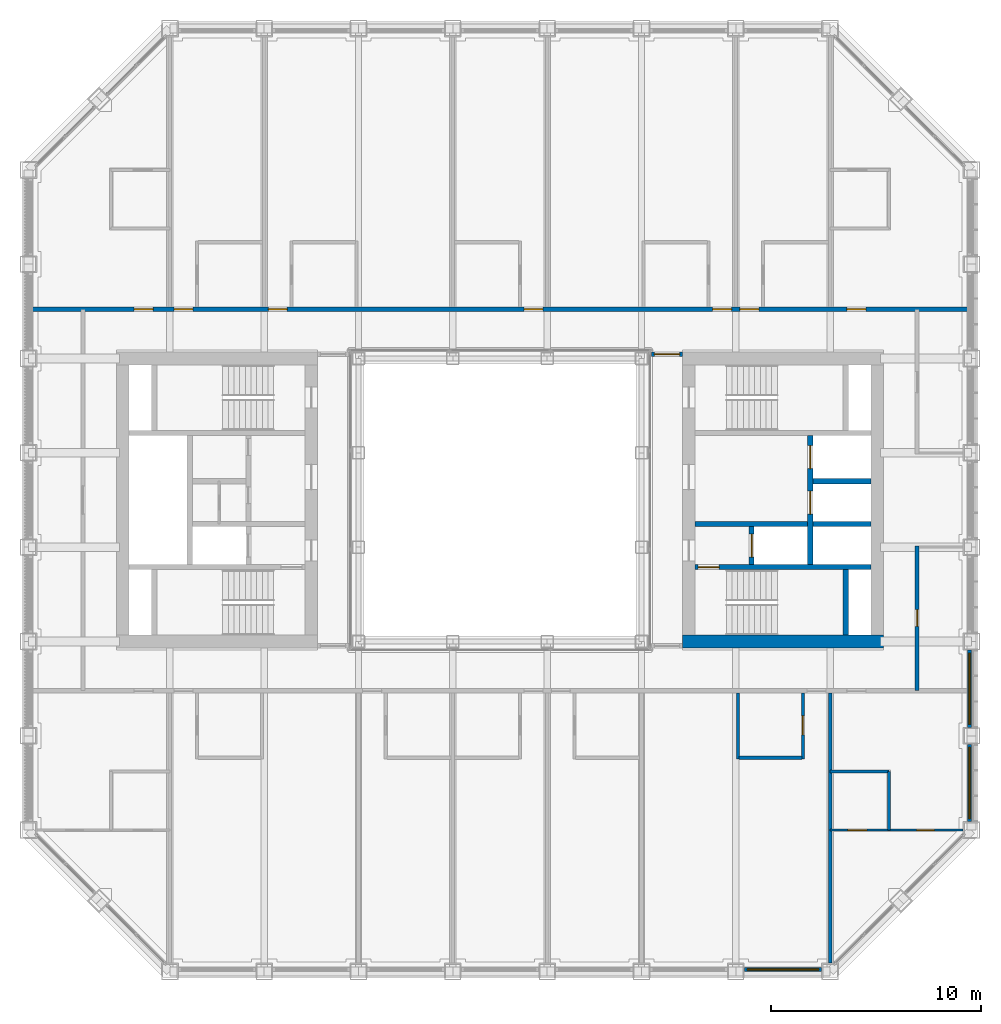
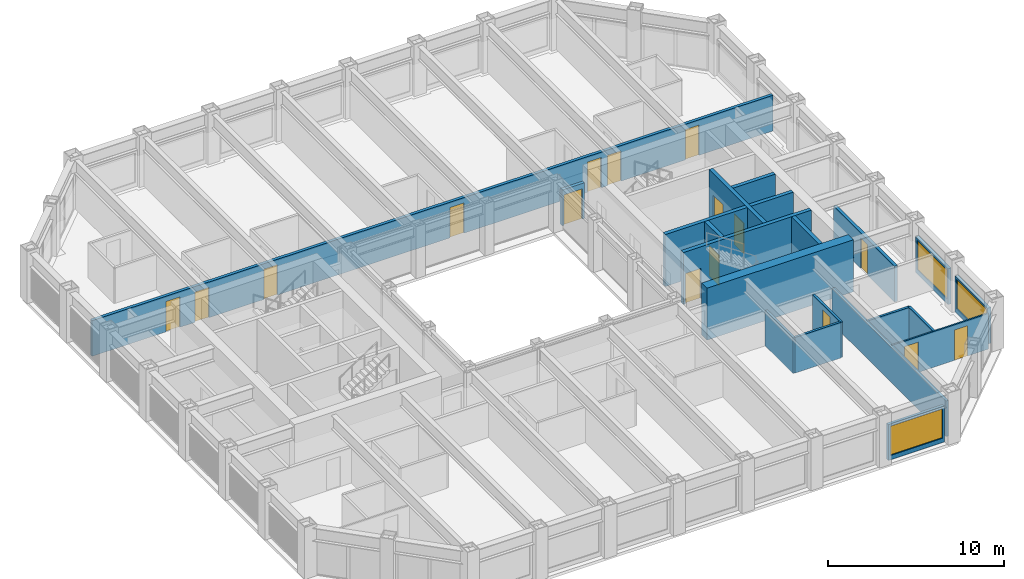
# One storey, part 12 of 17: 21 walls, 16 doors, 3 windows, 19 openings.
"""IFC4 building model written with IfcOpenShell, lengths in metres."""

from ifc_helpers import new_model, si_unit, direction, frame, frame_2d, origin, place, context, subcontext, project, spatial, rectangle, extrude, material, layer, layer_set, type_object, element, fill, save


model = new_model("IFC4")

# Units and contexts
model_context = context("Model", 3, precision=1e-05, world=origin(), true_north=direction((0.0, 1.0)))
body_context = subcontext(model_context, "Body", "Model", "MODEL_VIEW")
ifc_project = project(units=[si_unit("LENGTHUNIT", "METRE"), si_unit("AREAUNIT", "SQUARE_METRE"), si_unit("VOLUMEUNIT", "CUBIC_METRE"), si_unit("PLANEANGLEUNIT", "RADIAN"), si_unit("MASSUNIT", "GRAM", prefix="KILO")], contexts=[model_context])

# Site, building, storey
site_placement = place(None, origin())
site = spatial("IfcSite", under=ifc_project, at=site_placement, CompositionType="ELEMENT")
building_placement = place(site_placement, origin())
building = spatial("IfcBuilding", under=site, at=building_placement, Name="Msasa Ring Tower", CompositionType="ELEMENT")
storey_placement = place(building_placement, frame((0.0, 0.0, 154.39990234375)))
storey = spatial("IfcBuildingStorey", under=building, at=storey_placement, Name="L40", CompositionType="ELEMENT", Elevation=154.39990234375)

# Wall
ifc_material_1 = material(Name="Concrete C60/75", Category="concrete")
ifc_layer_1 = layer(ifc_material_1, 0.60009765625)
ifc_layer_set_1 = layer_set([ifc_layer_1], Name="CW2 CORE WALL 600")
wall_type_1 = type_object("IfcWallType", Name="CW2 CORE WALL 600", PredefinedType="SHEAR", material=ifc_layer_set_1)
wall_1_placement = place(storey_placement, frame((8.699951171875, -6.75, 0.0), z_axis=(0.0, 0.0, 1.0), x_axis=(1.0, 0.0, 0.0)))
element("IfcWall", 1, at=wall_1_placement, inside=storey, type_object=wall_type_1, Name="E core wall S L40", PredefinedType="SHEAR", context=body_context, shape_type="SweptSolid", body=[
    extrude(rectangle(XDim=9.60009765625, YDim=0.60009765625, at=frame_2d((4.800048828125, 0.0))), origin(), (0.0, 0.0, 1.0), 3.60009765625),
])

# Wall, opening, door
ifc_material_2 = material(Name="Concrete C60/75", Category="concrete")
ifc_layer_2 = layer(ifc_material_2, 0.25)
ifc_layer_set_2 = layer_set([ifc_layer_2], Name="CW4 CORE INNER WALL 250")
wall_type_2 = type_object("IfcWallType", Name="CW4 CORE INNER WALL 250", PredefinedType="SHEAR", material=ifc_layer_set_2)
wall_2_placement = place(storey_placement, frame((9.300048828125, -3.199951171875, 0.0), z_axis=(0.0, 0.0, 1.0), x_axis=(1.0, 0.0, 0.0)))
wall_2 = element("IfcWall", 2, at=wall_2_placement, inside=storey, type_object=wall_type_2, Name="E core wall STAIRA L40", PredefinedType="SHEAR", context=body_context, shape_type="SweptSolid", body=[
    extrude(rectangle(XDim=8.39990234375, YDim=0.25, at=frame_2d((4.199951171875, 0.0))), origin(), (0.0, 0.0, 1.0), 3.60009765625),
])
opening_1_placement = place(wall_2_placement, frame((0.14990234375, 0.0, 0.0)))
opening_1 = element("IfcOpeningElement", 3, at=opening_1_placement, cuts=wall_2, Name="Opening HD-029", PredefinedType="OPENING", context=body_context, shape_type="SweptSolid", body=[
    extrude(rectangle(XDim=1.0, YDim=2.10009765625, at=frame_2d((0.5, 1.050048828125))), frame((0.0, 0.135009765625, 0.0), z_axis=(0.0, -1.0, 0.0), x_axis=(1.0, 0.0, 0.0)), (0.0, 0.0, 1.0), 0.27001953125),
])
ifc_material_3 = material(Name="Timber door leaf in a steel frame", Category="steel")
door_type_1 = type_object("IfcDoorType", Name="D6 STAIR DOOR 1000x2100", OperationType="SINGLE_SWING_LEFT", PredefinedType="DOOR", material=ifc_material_3)
door_1_placement = place(opening_1_placement, origin())
door_1 = element("IfcDoor", 4, at=door_1_placement, inside=storey, type_object=door_type_1, Name="Door L40-ESTA", OperationType="SINGLE_SWING_LEFT", OverallHeight=2.10009765625, OverallWidth=1.0, PredefinedType="DOOR", context=body_context, shape_type="SweptSolid", body=[
    extrude(rectangle(XDim=1.0, YDim=2.10009765625, at=frame_2d((0.5, 1.050048828125))), frame((0.0, 0.02490234375, 0.0), z_axis=(0.0, -1.0, 0.0), x_axis=(1.0, 0.0, 0.0)), (0.0, 0.0, 1.0), 0.050048828125),
])
fill(opening_1, door_1)

# Walls
wall_3_placement = place(storey_placement, frame((16.5, -6.449951171875, 0.0), z_axis=(0.0, 0.0, 1.0), x_axis=(0.0, 1.0, 0.0)))
element("IfcWall", 5, at=wall_3_placement, inside=storey, type_object=wall_type_2, Name="E core wall RISERA L40", PredefinedType="SHEAR", context=body_context, shape_type="SweptSolid", body=[
    extrude(rectangle(XDim=3.125, YDim=0.25, at=frame_2d((1.5625, 0.0))), origin(), (0.0, 0.0, 1.0), 3.60009765625),
])
wall_4_placement = place(storey_placement, frame((9.300048828125, -1.14990234375, 0.0), z_axis=(0.0, 0.0, 1.0), x_axis=(1.0, 0.0, 0.0)))
element("IfcWall", 6, at=wall_4_placement, inside=storey, type_object=wall_type_2, Name="E core wall FFL L40", PredefinedType="SHEAR", context=body_context, shape_type="SweptSolid", body=[
    extrude(rectangle(XDim=5.375, YDim=0.25, at=frame_2d((2.6875, 0.0))), origin(), (0.0, 0.0, 1.0), 3.60009765625),
])

# Wall, opening, door
wall_5_placement = place(storey_placement, frame((12.0, -3.074951171875, 0.0), z_axis=(0.0, 0.0, 1.0), x_axis=(0.0, 1.0, 0.0)))
wall_5 = element("IfcWall", 7, at=wall_5_placement, inside=storey, type_object=wall_type_2, Name="E core wall LOBBY L40", PredefinedType="SHEAR", context=body_context, shape_type="SweptSolid", body=[
    extrude(rectangle(XDim=1.800048828125, YDim=0.25, at=frame_2d((0.89990234375, 0.0))), origin(), (0.0, 0.0, 1.0), 3.60009765625),
])
opening_2_placement = place(wall_5_placement, frame((0.35009765625, 0.0, 0.0)))
opening_2 = element("IfcOpeningElement", 8, at=opening_2_placement, cuts=wall_5, Name="Opening LD1", PredefinedType="OPENING", context=body_context, shape_type="SweptSolid", body=[
    extrude(rectangle(XDim=1.10009765625, YDim=2.10009765625, at=frame_2d((0.550048828125, 1.050048828125))), frame((0.0, 0.135009765625, 0.0), z_axis=(0.0, -1.0, 0.0), x_axis=(1.0, 0.0, 0.0)), (0.0, 0.0, 1.0), 0.27001953125),
])
ifc_material_4 = material(Name="Stainless steel lift landing door", Category="steel")
door_type_2 = type_object("IfcDoorType", Name="LD1 LIFT LANDING DOOR 1100x2100", OperationType="DOUBLE_DOOR_SLIDING", PredefinedType="DOOR", material=ifc_material_4)
door_2_placement = place(opening_2_placement, origin())
door_2 = element("IfcDoor", 9, at=door_2_placement, inside=storey, type_object=door_type_2, Name="Lift landing door FL-E L40", OperationType="DOUBLE_DOOR_SLIDING", OverallHeight=2.10009765625, OverallWidth=1.10009765625, PredefinedType="DOOR", context=body_context, shape_type="SweptSolid", body=[
    extrude(rectangle(XDim=1.10009765625, YDim=2.10009765625, at=frame_2d((0.550048828125, 1.050048828125))), frame((0.0, 0.02490234375, 0.0), z_axis=(0.0, -1.0, 0.0), x_axis=(1.0, 0.0, 0.0)), (0.0, 0.0, 1.0), 0.050048828125),
])
fill(opening_2, door_2)

# Wall, openings, doors
wall_6_placement = place(storey_placement, frame((14.800048828125, -3.074951171875, 0.0), z_axis=(0.0, 0.0, 1.0), x_axis=(0.0, 1.0, 0.0)))
wall_6 = element("IfcWall", 10, at=wall_6_placement, inside=storey, type_object=wall_type_2, Name="E core wall SHAFT L40", PredefinedType="SHEAR", context=body_context, shape_type="SweptSolid", body=[
    extrude(rectangle(XDim=6.14990234375, YDim=0.25, at=frame_2d((3.074951171875, 0.0))), origin(), (0.0, 0.0, 1.0), 3.60009765625),
])
opening_3_placement = place(wall_6_placement, frame((2.39990234375, 0.0, 0.0)))
opening_3 = element("IfcOpeningElement", 11, at=opening_3_placement, cuts=wall_6, Name="Opening LD1", PredefinedType="OPENING", context=body_context, shape_type="SweptSolid", body=[
    extrude(rectangle(XDim=1.10009765625, YDim=2.10009765625, at=frame_2d((0.550048828125, 1.050048828125))), frame((0.0, 0.135009765625, 0.0), z_axis=(0.0, -1.0, 0.0), x_axis=(1.0, 0.0, 0.0)), (0.0, 0.0, 1.0), 0.27001953125),
])
opening_4_placement = place(wall_6_placement, frame((4.574951171875, 0.0, 0.0)))
opening_4 = element("IfcOpeningElement", 12, at=opening_4_placement, cuts=wall_6, Name="Opening LD1", PredefinedType="OPENING", context=body_context, shape_type="SweptSolid", body=[
    extrude(rectangle(XDim=1.10009765625, YDim=2.10009765625, at=frame_2d((0.550048828125, 1.050048828125))), frame((0.0, 0.135009765625, 0.0), z_axis=(0.0, -1.0, 0.0), x_axis=(1.0, 0.0, 0.0)), (0.0, 0.0, 1.0), 0.27001953125),
])
door_3_placement = place(opening_3_placement, origin())
door_3 = element("IfcDoor", 13, at=door_3_placement, inside=storey, type_object=door_type_2, Name="Lift landing door PL-H1 L40", OperationType="DOUBLE_DOOR_SLIDING", OverallHeight=2.10009765625, OverallWidth=1.10009765625, PredefinedType="DOOR", context=body_context, shape_type="SweptSolid", body=[
    extrude(rectangle(XDim=1.10009765625, YDim=2.10009765625, at=frame_2d((0.550048828125, 1.050048828125))), frame((0.0, 0.02490234375, 0.0), z_axis=(0.0, -1.0, 0.0), x_axis=(1.0, 0.0, 0.0)), (0.0, 0.0, 1.0), 0.050048828125),
])
fill(opening_3, door_3)
door_4_placement = place(opening_4_placement, origin())
door_4 = element("IfcDoor", 14, at=door_4_placement, inside=storey, type_object=door_type_2, Name="Lift landing door PL-H2 L40", OperationType="DOUBLE_DOOR_SLIDING", OverallHeight=2.10009765625, OverallWidth=1.10009765625, PredefinedType="DOOR", context=body_context, shape_type="SweptSolid", body=[
    extrude(rectangle(XDim=1.10009765625, YDim=2.10009765625, at=frame_2d((0.550048828125, 1.050048828125))), frame((0.0, 0.02490234375, 0.0), z_axis=(0.0, -1.0, 0.0), x_axis=(1.0, 0.0, 0.0)), (0.0, 0.0, 1.0), 0.050048828125),
])
fill(opening_4, door_4)

# Walls
for number, where, z_axis, x_axis, name in (
    (15, (14.925048828125, -1.14990234375, 0.0), (0.0, 0.0, 1.0), (1.0, 0.0, 0.0), "E core wall HSEP L40"),
    (16, (14.925048828125, 0.89990234375, 0.0), (0.0, 0.0, 1.0), (1.0, 0.0, 0.0), "E core wall HLIFT L40"),
):
    element("IfcWall", number, at=place(storey_placement, frame(where, z_axis=z_axis, x_axis=x_axis)), inside=storey, type_object=wall_type_2, Name=name, PredefinedType="SHEAR", context=body_context, shape_type="SweptSolid", body=[
        extrude(rectangle(XDim=2.77490234375, YDim=0.25, at=frame_2d((1.387451171875, 0.0))), origin(), (0.0, 0.0, 1.0), 3.60009765625),
    ])

# Wall, opening, window
ifc_material_5 = material(Name="Terracotta rainscreen on blockwork", Category="masonry")
ifc_layer_3 = layer(ifc_material_5, 0.199951171875)
ifc_layer_set_3 = layer_set([ifc_layer_3], Name="FW1 TERRACOTTA-LINED INFILL BAY WALL 200")
wall_type_3 = type_object("IfcWallType", Name="FW1 TERRACOTTA-LINED INFILL BAY WALL 200", PredefinedType="SOLIDWALL", material=ifc_layer_set_3)
wall_7_placement = place(storey_placement, frame((11.655029296875, -22.39990234375, 0.0), z_axis=(0.0, 0.0, 1.0), x_axis=(1.0, 0.0, 0.0)))
wall_7 = element("IfcWall", 17, at=wall_7_placement, inside=storey, type_object=wall_type_3, Name="Infill bay wall S L40 06", PredefinedType="SOLIDWALL", context=body_context, shape_type="SweptSolid", body=[
    extrude(rectangle(XDim=3.68994140625, YDim=0.199951171875, at=frame_2d((1.844970703125, 0.0))), origin(), (0.0, 0.0, 1.0), 2.47900390625),
])
opening_5_placement = place(wall_7_placement, frame((0.14501953125, 0.0, 0.300048828125)))
opening_5 = element("IfcOpeningElement", 18, at=opening_5_placement, cuts=wall_7, Name="Opening WN2", PredefinedType="OPENING", context=body_context, shape_type="SweptSolid", body=[
    extrude(rectangle(XDim=3.39990234375, YDim=2.029052734375, at=frame_2d((1.699951171875, 1.0146484375))), frame((0.0, 0.10986328125, 0.0), z_axis=(0.0, -1.0, 0.0), x_axis=(1.0, 0.0, 0.0)), (0.0, 0.0, 1.0), 0.219970703125),
])
ifc_material_6 = material(Name="Aluminium frame with clear glass", Category="aluminium")
window_type = type_object("IfcWindowType", Name="WN2 GUEST ROOM WINDOW 3400x2029", PartitioningType="SINGLE_PANEL", PredefinedType="WINDOW", material=ifc_material_6)
window_1_placement = place(opening_5_placement, origin())
window_1 = element("IfcWindow", 19, at=window_1_placement, inside=storey, type_object=window_type, Name="Window S L40 06", OverallHeight=2.029052734375, OverallWidth=3.39990234375, PartitioningType="SINGLE_PANEL", PredefinedType="WINDOW", context=body_context, shape_type="SweptSolid", body=[
    extrude(rectangle(XDim=3.39990234375, YDim=2.029052734375, at=frame_2d((1.699951171875, 1.0146484375))), frame((0.0, 0.030029296875, 0.0), z_axis=(0.0, -1.0, 0.0), x_axis=(1.0, 0.0, 0.0)), (0.0, 0.0, 1.0), 0.06005859375),
])
fill(opening_5, window_1)

wall_8_placement = place(storey_placement, frame((22.39990234375, -15.344970703125, 0.0), z_axis=(0.0, 0.0, 1.0), x_axis=(0.0, 1.0, 0.0)))
wall_8 = element("IfcWall", 20, at=wall_8_placement, inside=storey, type_object=wall_type_3, Name="Infill bay wall E L40 09", PredefinedType="SOLIDWALL", context=body_context, shape_type="SweptSolid", body=[
    extrude(rectangle(XDim=3.68994140625, YDim=0.199951171875, at=frame_2d((1.844970703125, 0.0))), origin(), (0.0, 0.0, 1.0), 2.47900390625),
])
opening_6_placement = place(wall_8_placement, frame((0.14501953125, 0.0, 0.300048828125)))
opening_6 = element("IfcOpeningElement", 21, at=opening_6_placement, cuts=wall_8, Name="Opening WN2", PredefinedType="OPENING", context=body_context, shape_type="SweptSolid", body=[
    extrude(rectangle(XDim=3.39990234375, YDim=2.029052734375, at=frame_2d((1.699951171875, 1.0146484375))), frame((0.0, 0.10986328125, 0.0), z_axis=(0.0, -1.0, 0.0), x_axis=(1.0, 0.0, 0.0)), (0.0, 0.0, 1.0), 0.219970703125),
])
window_2_placement = place(opening_6_placement, origin())
window_2 = element("IfcWindow", 22, at=window_2_placement, inside=storey, type_object=window_type, Name="Window E L40 09", OverallHeight=2.029052734375, OverallWidth=3.39990234375, PartitioningType="SINGLE_PANEL", PredefinedType="WINDOW", context=body_context, shape_type="SweptSolid", body=[
    extrude(rectangle(XDim=3.39990234375, YDim=2.029052734375, at=frame_2d((1.699951171875, 1.0146484375))), frame((0.0, 0.030029296875, 0.0), z_axis=(0.0, -1.0, 0.0), x_axis=(1.0, 0.0, 0.0)), (0.0, 0.0, 1.0), 0.06005859375),
])
fill(opening_6, window_2)

wall_9_placement = place(storey_placement, frame((22.39990234375, -10.844970703125, 0.0), z_axis=(0.0, 0.0, 1.0), x_axis=(0.0, 1.0, 0.0)))
wall_9 = element("IfcWall", 23, at=wall_9_placement, inside=storey, type_object=wall_type_3, Name="Infill bay wall E L40 10", PredefinedType="SOLIDWALL", context=body_context, shape_type="SweptSolid", body=[
    extrude(rectangle(XDim=3.68994140625, YDim=0.199951171875, at=frame_2d((1.844970703125, 0.0))), origin(), (0.0, 0.0, 1.0), 2.47900390625),
])
opening_7_placement = place(wall_9_placement, frame((0.14501953125, 0.0, 0.300048828125)))
opening_7 = element("IfcOpeningElement", 24, at=opening_7_placement, cuts=wall_9, Name="Opening WN2", PredefinedType="OPENING", context=body_context, shape_type="SweptSolid", body=[
    extrude(rectangle(XDim=3.39990234375, YDim=2.029052734375, at=frame_2d((1.699951171875, 1.0146484375))), frame((0.0, 0.10986328125, 0.0), z_axis=(0.0, -1.0, 0.0), x_axis=(1.0, 0.0, 0.0)), (0.0, 0.0, 1.0), 0.219970703125),
])
window_3_placement = place(opening_7_placement, origin())
window_3 = element("IfcWindow", 25, at=window_3_placement, inside=storey, type_object=window_type, Name="Window E L40 10", OverallHeight=2.029052734375, OverallWidth=3.39990234375, PartitioningType="SINGLE_PANEL", PredefinedType="WINDOW", context=body_context, shape_type="SweptSolid", body=[
    extrude(rectangle(XDim=3.39990234375, YDim=2.029052734375, at=frame_2d((1.699951171875, 1.0146484375))), frame((0.0, 0.030029296875, 0.0), z_axis=(0.0, -1.0, 0.0), x_axis=(1.0, 0.0, 0.0)), (0.0, 0.0, 1.0), 0.06005859375),
])
fill(opening_7, window_3)

# Wall, opening, door
ifc_material_7 = material(Name="Concrete blockwork", Category="masonry")
ifc_layer_4 = layer(ifc_material_7, 0.199951171875)
ifc_layer_set_4 = layer_set([ifc_layer_4], Name="PT1 CORRIDOR WALL 200")
wall_type_4 = type_object("IfcWallType", Name="PT1 CORRIDOR WALL 200", PredefinedType="PARTITIONING", material=ifc_layer_set_4)
wall_10_placement = place(storey_placement, frame((7.22998046875, 6.949951171875, 0.0), z_axis=(0.0, 0.0, 1.0), x_axis=(1.0, 0.0, 0.0)))
wall_10 = element("IfcWall", 26, at=wall_10_placement, inside=storey, type_object=wall_type_4, Name="Corridor wall L40-SDEN", PredefinedType="PARTITIONING", context=body_context, shape_type="SweptSolid", body=[
    extrude(rectangle(XDim=1.469970703125, YDim=0.199951171875, at=frame_2d((0.73486328125, 0.0))), origin(), (0.0, 0.0, 1.0), 2.473388671875),
])
opening_8_placement = place(wall_10_placement, frame((0.135009765625, 0.0, 0.0)))
opening_8 = element("IfcOpeningElement", 27, at=opening_8_placement, cuts=wall_10, Name="Opening HD-016", PredefinedType="OPENING", context=body_context, shape_type="SweptSolid", body=[
    extrude(rectangle(XDim=1.199951171875, YDim=2.10009765625, at=frame_2d((0.60009765625, 1.050048828125))), frame((0.0, 0.10986328125, 0.0), z_axis=(0.0, -1.0, 0.0), x_axis=(1.0, 0.0, 0.0)), (0.0, 0.0, 1.0), 0.219970703125),
])
ifc_material_8 = material(Name="Timber door leaf in a steel frame", Category="steel")
door_type_3 = type_object("IfcDoorType", Name="D25 CORRIDOR PAIR OF SMOKE DOORS 1200x2100", OperationType="DOUBLE_DOOR_DOUBLE_SWING", PredefinedType="DOOR", material=ifc_material_8)
door_5_placement = place(opening_8_placement, origin())
door_5 = element("IfcDoor", 28, at=door_5_placement, inside=storey, type_object=door_type_3, Name="Door L40-SDEN", OperationType="DOUBLE_DOOR_DOUBLE_SWING", OverallHeight=2.10009765625, OverallWidth=1.199951171875, PredefinedType="DOOR", context=body_context, shape_type="SweptSolid", body=[
    extrude(rectangle(XDim=1.199951171875, YDim=2.10009765625, at=frame_2d((0.60009765625, 1.050048828125))), frame((0.0, 0.02490234375, 0.0), z_axis=(0.0, -1.0, 0.0), x_axis=(1.0, 0.0, 0.0)), (0.0, 0.0, 1.0), 0.050048828125),
])
fill(opening_8, door_5)

# Wall, openings, doors
wall_11_placement = place(storey_placement, frame((-22.300048828125, 9.10009765625, 0.0), z_axis=(0.0, 0.0, 1.0), x_axis=(1.0, 0.0, 0.0)))
wall_11 = element("IfcWall", 29, at=wall_11_placement, inside=storey, type_object=wall_type_4, Name="Corridor wall L40-CORRN0", PredefinedType="PARTITIONING", context=body_context, shape_type="SweptSolid", body=[
    extrude(rectangle(XDim=44.60009765625, YDim=0.199951171875, at=frame_2d((22.300048828125, 0.0))), origin(), (0.0, 0.0, 1.0), 2.473388671875),
])
opening_9_placement = place(wall_11_placement, frame((6.75, 0.0, 0.0)))
opening_9 = element("IfcOpeningElement", 30, at=opening_9_placement, cuts=wall_11, Name="Opening HD-009", PredefinedType="OPENING", context=body_context, shape_type="SweptSolid", body=[
    extrude(rectangle(XDim=0.89990234375, YDim=2.10009765625, at=frame_2d((0.449951171875, 1.050048828125))), frame((0.0, 0.10986328125, 0.0), z_axis=(0.0, -1.0, 0.0), x_axis=(1.0, 0.0, 0.0)), (0.0, 0.0, 1.0), 0.219970703125),
])
opening_10_placement = place(wall_11_placement, frame((11.25, 0.0, 0.0)))
opening_10 = element("IfcOpeningElement", 31, at=opening_10_placement, cuts=wall_11, Name="Opening HD-010", PredefinedType="OPENING", context=body_context, shape_type="SweptSolid", body=[
    extrude(rectangle(XDim=0.89990234375, YDim=2.10009765625, at=frame_2d((0.449951171875, 1.050048828125))), frame((0.0, 0.10986328125, 0.0), z_axis=(0.0, -1.0, 0.0), x_axis=(1.0, 0.0, 0.0)), (0.0, 0.0, 1.0), 0.219970703125),
])
opening_11_placement = place(wall_11_placement, frame((23.449951171875, 0.0, 0.0)))
opening_11 = element("IfcOpeningElement", 32, at=opening_11_placement, cuts=wall_11, Name="Opening HD-011", PredefinedType="OPENING", context=body_context, shape_type="SweptSolid", body=[
    extrude(rectangle(XDim=0.89990234375, YDim=2.10009765625, at=frame_2d((0.449951171875, 1.050048828125))), frame((0.0, 0.10986328125, 0.0), z_axis=(0.0, -1.0, 0.0), x_axis=(1.0, 0.0, 0.0)), (0.0, 0.0, 1.0), 0.219970703125),
])
opening_12_placement = place(wall_11_placement, frame((32.449951171875, 0.0, 0.0)))
opening_12 = element("IfcOpeningElement", 33, at=opening_12_placement, cuts=wall_11, Name="Opening HD-012", PredefinedType="OPENING", context=body_context, shape_type="SweptSolid", body=[
    extrude(rectangle(XDim=0.89990234375, YDim=2.10009765625, at=frame_2d((0.449951171875, 1.050048828125))), frame((0.0, 0.10986328125, 0.0), z_axis=(0.0, -1.0, 0.0), x_axis=(1.0, 0.0, 0.0)), (0.0, 0.0, 1.0), 0.219970703125),
])
opening_13_placement = place(wall_11_placement, frame((33.75, 0.0, 0.0)))
opening_13 = element("IfcOpeningElement", 34, at=opening_13_placement, cuts=wall_11, Name="Opening HD-013", PredefinedType="OPENING", context=body_context, shape_type="SweptSolid", body=[
    extrude(rectangle(XDim=0.89990234375, YDim=2.10009765625, at=frame_2d((0.449951171875, 1.050048828125))), frame((0.0, 0.10986328125, 0.0), z_axis=(0.0, -1.0, 0.0), x_axis=(1.0, 0.0, 0.0)), (0.0, 0.0, 1.0), 0.219970703125),
])
opening_14_placement = place(wall_11_placement, frame((38.85009765625, 0.0, 0.0)))
opening_14 = element("IfcOpeningElement", 35, at=opening_14_placement, cuts=wall_11, Name="Opening HD-014", PredefinedType="OPENING", context=body_context, shape_type="SweptSolid", body=[
    extrude(rectangle(XDim=0.89990234375, YDim=2.10009765625, at=frame_2d((0.449951171875, 1.050048828125))), frame((0.0, 0.10986328125, 0.0), z_axis=(0.0, -1.0, 0.0), x_axis=(1.0, 0.0, 0.0)), (0.0, 0.0, 1.0), 0.219970703125),
])
opening_15_placement = place(wall_11_placement, frame((4.85009765625, 0.0, 0.0)))
opening_15 = element("IfcOpeningElement", 36, at=opening_15_placement, cuts=wall_11, Name="Opening HD-008", PredefinedType="OPENING", context=body_context, shape_type="SweptSolid", body=[
    extrude(rectangle(XDim=0.89990234375, YDim=2.10009765625, at=frame_2d((0.449951171875, 1.050048828125))), frame((0.0, 0.10986328125, 0.0), z_axis=(0.0, -1.0, 0.0), x_axis=(1.0, 0.0, 0.0)), (0.0, 0.0, 1.0), 0.219970703125),
])
ifc_material_9 = material(Name="Timber door leaf in a steel frame", Category="steel")
door_type_4 = type_object("IfcDoorType", Name="D1 SINGLE DOOR TO CORRIDOR 900x2100", OperationType="SINGLE_SWING_LEFT", PredefinedType="DOOR", material=ifc_material_9)
door_6_placement = place(opening_9_placement, origin())
door_6 = element("IfcDoor", 37, at=door_6_placement, inside=storey, type_object=door_type_4, Name="Door L40-GN00", OperationType="SINGLE_SWING_LEFT", OverallHeight=2.10009765625, OverallWidth=0.89990234375, PredefinedType="DOOR", context=body_context, shape_type="SweptSolid", body=[
    extrude(rectangle(XDim=0.89990234375, YDim=2.10009765625, at=frame_2d((0.449951171875, 1.050048828125))), frame((0.0, 0.02490234375, 0.0), z_axis=(0.0, -1.0, 0.0), x_axis=(1.0, 0.0, 0.0)), (0.0, 0.0, 1.0), 0.050048828125),
])
fill(opening_9, door_6)
door_7_placement = place(opening_10_placement, origin())
door_7 = element("IfcDoor", 38, at=door_7_placement, inside=storey, type_object=door_type_4, Name="Door L40-GN01", OperationType="SINGLE_SWING_LEFT", OverallHeight=2.10009765625, OverallWidth=0.89990234375, PredefinedType="DOOR", context=body_context, shape_type="SweptSolid", body=[
    extrude(rectangle(XDim=0.89990234375, YDim=2.10009765625, at=frame_2d((0.449951171875, 1.050048828125))), frame((0.0, 0.02490234375, 0.0), z_axis=(0.0, -1.0, 0.0), x_axis=(1.0, 0.0, 0.0)), (0.0, 0.0, 1.0), 0.050048828125),
])
fill(opening_10, door_7)
door_8_placement = place(opening_11_placement, origin())
door_8 = element("IfcDoor", 39, at=door_8_placement, inside=storey, type_object=door_type_4, Name="Door L40-GN02", OperationType="SINGLE_SWING_RIGHT", OverallHeight=2.10009765625, OverallWidth=0.89990234375, PredefinedType="DOOR", context=body_context, shape_type="SweptSolid", body=[
    extrude(rectangle(XDim=0.89990234375, YDim=2.10009765625, at=frame_2d((0.449951171875, 1.050048828125))), frame((0.0, 0.02490234375, 0.0), z_axis=(0.0, -1.0, 0.0), x_axis=(1.0, 0.0, 0.0)), (0.0, 0.0, 1.0), 0.050048828125),
])
fill(opening_11, door_8)
door_9_placement = place(opening_12_placement, origin())
door_9 = element("IfcDoor", 40, at=door_9_placement, inside=storey, type_object=door_type_4, Name="Door L40-GN03", OperationType="SINGLE_SWING_RIGHT", OverallHeight=2.10009765625, OverallWidth=0.89990234375, PredefinedType="DOOR", context=body_context, shape_type="SweptSolid", body=[
    extrude(rectangle(XDim=0.89990234375, YDim=2.10009765625, at=frame_2d((0.449951171875, 1.050048828125))), frame((0.0, 0.02490234375, 0.0), z_axis=(0.0, -1.0, 0.0), x_axis=(1.0, 0.0, 0.0)), (0.0, 0.0, 1.0), 0.050048828125),
])
fill(opening_12, door_9)
door_10_placement = place(opening_13_placement, origin())
door_10 = element("IfcDoor", 41, at=door_10_placement, inside=storey, type_object=door_type_4, Name="Door L40-GN04", OperationType="SINGLE_SWING_RIGHT", OverallHeight=2.10009765625, OverallWidth=0.89990234375, PredefinedType="DOOR", context=body_context, shape_type="SweptSolid", body=[
    extrude(rectangle(XDim=0.89990234375, YDim=2.10009765625, at=frame_2d((0.449951171875, 1.050048828125))), frame((0.0, 0.02490234375, 0.0), z_axis=(0.0, -1.0, 0.0), x_axis=(1.0, 0.0, 0.0)), (0.0, 0.0, 1.0), 0.050048828125),
])
fill(opening_13, door_10)
ifc_material_10 = material(Name="Timber door leaf in a steel frame", Category="steel")
door_type_5 = type_object("IfcDoorType", Name="D2 ENTRANCE DOOR 900x2100", OperationType="SINGLE_SWING_LEFT", PredefinedType="DOOR", material=ifc_material_10)
door_11_placement = place(opening_14_placement, origin())
door_11 = element("IfcDoor", 42, at=door_11_placement, inside=storey, type_object=door_type_5, Name="Door L40-CSNE", OperationType="SINGLE_SWING_RIGHT", OverallHeight=2.10009765625, OverallWidth=0.89990234375, PredefinedType="DOOR", context=body_context, shape_type="SweptSolid", body=[
    extrude(rectangle(XDim=0.89990234375, YDim=2.10009765625, at=frame_2d((0.449951171875, 1.050048828125))), frame((0.0, 0.02490234375, 0.0), z_axis=(0.0, -1.0, 0.0), x_axis=(1.0, 0.0, 0.0)), (0.0, 0.0, 1.0), 0.050048828125),
])
fill(opening_14, door_11)
door_12_placement = place(opening_15_placement, origin())
door_12 = element("IfcDoor", 43, at=door_12_placement, inside=storey, type_object=door_type_5, Name="Door L40-CSNW", OperationType="SINGLE_SWING_LEFT", OverallHeight=2.10009765625, OverallWidth=0.89990234375, PredefinedType="DOOR", context=body_context, shape_type="SweptSolid", body=[
    extrude(rectangle(XDim=0.89990234375, YDim=2.10009765625, at=frame_2d((0.449951171875, 1.050048828125))), frame((0.0, 0.02490234375, 0.0), z_axis=(0.0, -1.0, 0.0), x_axis=(1.0, 0.0, 0.0)), (0.0, 0.0, 1.0), 0.050048828125),
])
fill(opening_15, door_12)

# Wall, opening, door
wall_12_placement = place(storey_placement, frame((19.89990234375, -9.10009765625, 0.0), z_axis=(0.0, 0.0, 1.0), x_axis=(0.0, 1.0, 0.0)))
wall_12 = element("IfcWall", 44, at=wall_12_placement, inside=storey, type_object=wall_type_4, Name="Corridor wall L40-STRES", PredefinedType="PARTITIONING", context=body_context, shape_type="SweptSolid", body=[
    extrude(rectangle(XDim=6.900146484375, YDim=0.199951171875, at=frame_2d((3.4501953125, 0.0))), origin(), (0.0, 0.0, 1.0), 2.473388671875),
])
opening_16_placement = place(wall_12_placement, frame((3.074951171875, 0.0, 0.0)))
opening_16 = element("IfcOpeningElement", 45, at=opening_16_placement, cuts=wall_12, Name="Opening HD-030", PredefinedType="OPENING", context=body_context, shape_type="SweptSolid", body=[
    extrude(rectangle(XDim=0.800048828125, YDim=2.10009765625, at=frame_2d((0.39990234375, 1.050048828125))), frame((0.0, 0.10986328125, 0.0), z_axis=(0.0, -1.0, 0.0), x_axis=(1.0, 0.0, 0.0)), (0.0, 0.0, 1.0), 0.219970703125),
])
ifc_material_11 = material(Name="Timber door leaf in a steel frame", Category="steel")
door_type_6 = type_object("IfcDoorType", Name="D11 NARROW STORE DOOR 800x2100", OperationType="SINGLE_SWING_LEFT", PredefinedType="DOOR", material=ifc_material_11)
door_13_placement = place(opening_16_placement, origin())
door_13 = element("IfcDoor", 46, at=door_13_placement, inside=storey, type_object=door_type_6, Name="Door L40-CLE", OperationType="SINGLE_SWING_LEFT", OverallHeight=2.10009765625, OverallWidth=0.800048828125, PredefinedType="DOOR", context=body_context, shape_type="SweptSolid", body=[
    extrude(rectangle(XDim=0.800048828125, YDim=2.10009765625, at=frame_2d((0.39990234375, 1.050048828125))), frame((0.0, 0.02490234375, 0.0), z_axis=(0.0, -1.0, 0.0), x_axis=(1.0, 0.0, 0.0)), (0.0, 0.0, 1.0), 0.050048828125),
])
fill(opening_16, door_13)

# Wall, openings, doors
ifc_material_12 = material(Name="Gypsum board on steel studs", Category="steel")
ifc_layer_5 = layer(ifc_material_12, 0.10009765625)
ifc_layer_set_5 = layer_set([ifc_layer_5], Name="PT2 STUD PARTITION 100")
wall_type_5 = type_object("IfcWallType", Name="PT2 STUD PARTITION 100", PredefinedType="PARTITIONING", material=ifc_layer_set_5)
wall_13_placement = place(storey_placement, frame((15.75, -15.75, 0.0), z_axis=(0.0, 0.0, 1.0), x_axis=(1.0, 0.0, 0.0)))
wall_13 = element("IfcWall", 47, at=wall_13_placement, inside=storey, type_object=wall_type_5, Name="Partition L40-CSSEX", PredefinedType="PARTITIONING", context=body_context, shape_type="SweptSolid", body=[
    extrude(rectangle(XDim=6.35009765625, YDim=0.10009765625, at=frame_2d((3.175048828125, 0.0))), origin(), (0.0, 0.0, 1.0), 2.473388671875),
])
opening_17_placement = place(wall_13_placement, frame((4.125, 0.0, 0.0)))
opening_17 = element("IfcOpeningElement", 48, at=opening_17_placement, cuts=wall_13, Name="Opening HD-048", PredefinedType="OPENING", context=body_context, shape_type="SweptSolid", body=[
    extrude(rectangle(XDim=0.85009765625, YDim=2.10009765625, at=frame_2d((0.425048828125, 1.050048828125))), frame((0.0, 0.06005859375, 0.0), z_axis=(0.0, -1.0, 0.0), x_axis=(1.0, 0.0, 0.0)), (0.0, 0.0, 1.0), 0.1201171875),
])
opening_18_placement = place(wall_13_placement, frame((0.85009765625, 0.0, 0.0)))
opening_18 = element("IfcOpeningElement", 49, at=opening_18_placement, cuts=wall_13, Name="Opening HD-047", PredefinedType="OPENING", context=body_context, shape_type="SweptSolid", body=[
    extrude(rectangle(XDim=0.89990234375, YDim=2.10009765625, at=frame_2d((0.449951171875, 1.050048828125))), frame((0.0, 0.06005859375, 0.0), z_axis=(0.0, -1.0, 0.0), x_axis=(1.0, 0.0, 0.0)), (0.0, 0.0, 1.0), 0.1201171875),
])
ifc_material_13 = material(Name="Timber door leaf in a steel frame", Category="steel")
door_type_7 = type_object("IfcDoorType", Name="D14 BEDROOM DOOR 850x2100", OperationType="SINGLE_SWING_LEFT", PredefinedType="DOOR", material=ifc_material_13)
door_14_placement = place(opening_17_placement, origin())
door_14 = element("IfcDoor", 50, at=door_14_placement, inside=storey, type_object=door_type_7, Name="Door L40-CSSER1", OperationType="SINGLE_SWING_RIGHT", OverallHeight=2.10009765625, OverallWidth=0.85009765625, PredefinedType="DOOR", context=body_context, shape_type="SweptSolid", body=[
    extrude(rectangle(XDim=0.85009765625, YDim=2.10009765625, at=frame_2d((0.425048828125, 1.050048828125))), frame((0.0, 0.02490234375, 0.0), z_axis=(0.0, -1.0, 0.0), x_axis=(1.0, 0.0, 0.0)), (0.0, 0.0, 1.0), 0.050048828125),
])
fill(opening_17, door_14)
ifc_material_14 = material(Name="Timber door leaf in a steel frame", Category="steel")
door_type_8 = type_object("IfcDoorType", Name="D3 BATHROOM DOOR 900x2100", OperationType="SINGLE_SWING_LEFT", PredefinedType="DOOR", material=ifc_material_14)
door_15_placement = place(opening_18_placement, origin())
door_15 = element("IfcDoor", 51, at=door_15_placement, inside=storey, type_object=door_type_8, Name="Door L40-CSSEB1", OperationType="SINGLE_SWING_LEFT", OverallHeight=2.10009765625, OverallWidth=0.89990234375, PredefinedType="DOOR", context=body_context, shape_type="SweptSolid", body=[
    extrude(rectangle(XDim=0.89990234375, YDim=2.10009765625, at=frame_2d((0.449951171875, 1.050048828125))), frame((0.0, 0.02490234375, 0.0), z_axis=(0.0, -1.0, 0.0), x_axis=(1.0, 0.0, 0.0)), (0.0, 0.0, 1.0), 0.050048828125),
])
fill(opening_18, door_15)

# Wall, opening, door
ifc_material_15 = material(Name="Moisture-resistant board on steel studs with a concealed cistern and pipe void, tiled", Category="steel")
ifc_layer_6 = layer(ifc_material_15, 0.14990234375)
ifc_layer_set_6 = layer_set([ifc_layer_6], Name="PT4 BATHROOM WET WALL 150")
wall_type_6 = type_object("IfcWallType", Name="PT4 BATHROOM WET WALL 150", PredefinedType="PARTITIONING", material=ifc_layer_set_6)
wall_14_placement = place(storey_placement, frame((14.449951171875, -12.35009765625, 0.0), z_axis=(0.0, 0.0, 1.0), x_axis=(0.0, 1.0, 0.0)))
wall_14 = element("IfcWall", 52, at=wall_14_placement, inside=storey, type_object=wall_type_6, Name="Partition L40-GS04BX", PredefinedType="PARTITIONING", context=body_context, shape_type="SweptSolid", body=[
    extrude(rectangle(XDim=3.150146484375, YDim=0.14990234375, at=frame_2d((1.5751953125, 0.0))), origin(), (0.0, 0.0, 1.0), 2.473388671875),
])
opening_19_placement = place(wall_14_placement, frame((1.14990234375, 0.0, 0.0)))
opening_19 = element("IfcOpeningElement", 53, at=opening_19_placement, cuts=wall_14, Name="Opening HD-044", PredefinedType="OPENING", context=body_context, shape_type="SweptSolid", body=[
    extrude(rectangle(XDim=0.89990234375, YDim=2.10009765625, at=frame_2d((0.449951171875, 1.050048828125))), frame((0.0, 0.0849609375, 0.0), z_axis=(0.0, -1.0, 0.0), x_axis=(1.0, 0.0, 0.0)), (0.0, 0.0, 1.0), 0.169921875),
])
door_16_placement = place(opening_19_placement, origin())
door_16 = element("IfcDoor", 54, at=door_16_placement, inside=storey, type_object=door_type_8, Name="Door L40-GS04B", OperationType="SINGLE_SWING_LEFT", OverallHeight=2.10009765625, OverallWidth=0.89990234375, PredefinedType="DOOR", context=body_context, shape_type="SweptSolid", body=[
    extrude(rectangle(XDim=0.89990234375, YDim=2.10009765625, at=frame_2d((0.449951171875, 1.050048828125))), frame((0.0, 0.02490234375, 0.0), z_axis=(0.0, -1.0, 0.0), x_axis=(1.0, 0.0, 0.0)), (0.0, 0.0, 1.0), 0.050048828125),
])
fill(opening_19, door_16)

# Walls
wall_15_placement = place(storey_placement, frame((11.35009765625, -12.35009765625, 0.0), z_axis=(0.0, 0.0, 1.0), x_axis=(0.0, 1.0, 0.0)))
element("IfcWall", 55, at=wall_15_placement, inside=storey, type_object=wall_type_6, Name="Partition L40-GS04BF", PredefinedType="PARTITIONING", context=body_context, shape_type="SweptSolid", body=[
    extrude(rectangle(XDim=3.150146484375, YDim=0.14990234375, at=frame_2d((1.5751953125, 0.0))), origin(), (0.0, 0.0, 1.0), 2.473388671875),
])
wall_16_placement = place(storey_placement, frame((11.39990234375, -12.300048828125, 0.0), z_axis=(0.0, 0.0, 1.0), x_axis=(1.0, 0.0, 0.0)))
element("IfcWall", 56, at=wall_16_placement, inside=storey, type_object=wall_type_6, Name="Partition L40-GS04BY", PredefinedType="PARTITIONING", context=body_context, shape_type="SweptSolid", body=[
    extrude(rectangle(XDim=3.0, YDim=0.14990234375, at=frame_2d((1.5, 0.0))), origin(), (0.0, 0.0, 1.0), 2.473388671875),
])
for number, where, z_axis, x_axis, name in (
    (57, (18.550048828125, -15.75, 0.0), (0.0, 0.0, 1.0), (0.0, 1.0, 0.0), "Partition L40-CSSEBX"),
    (58, (15.75, -12.949951171875, 0.0), (0.0, 0.0, 1.0), (1.0, 0.0, 0.0), "Partition L40-CSSEBY"),
):
    element("IfcWall", number, at=place(storey_placement, frame(where, z_axis=z_axis, x_axis=x_axis)), inside=storey, type_object=wall_type_6, Name=name, PredefinedType="PARTITIONING", context=body_context, shape_type="SweptSolid", body=[
        extrude(rectangle(XDim=2.800048828125, YDim=0.14990234375, at=frame_2d((1.39990234375, 0.0))), origin(), (0.0, 0.0, 1.0), 2.473388671875),
    ])
ifc_material_16 = material(Name="Twin steel studs, two layers of acoustic board each face, mineral wool", Category="steel")
ifc_layer_7 = layer(ifc_material_16, 0.175048828125)
ifc_layer_set_7 = layer_set([ifc_layer_7], Name="PT5 GUEST ROOM SEPARATING WALL 175")
wall_type_7 = type_object("IfcWallType", Name="PT5 GUEST ROOM SEPARATING WALL 175", PredefinedType="PARTITIONING", material=ifc_layer_set_7)
wall_17_placement = place(storey_placement, frame((15.75, -22.10009765625, 0.0), z_axis=(0.0, 0.0, 1.0), x_axis=(0.0, 1.0, 0.0)))
element("IfcWall", 59, at=wall_17_placement, inside=storey, type_object=wall_type_7, Name="Partition L40-PWS+15.75", PredefinedType="PARTITIONING", context=body_context, shape_type="SweptSolid", body=[
    extrude(rectangle(XDim=12.900146484375, YDim=0.175048828125, at=frame_2d((6.4501953125, 0.0))), origin(), (0.0, 0.0, 1.0), 2.473388671875),
])

save(model, "model.ifc")
